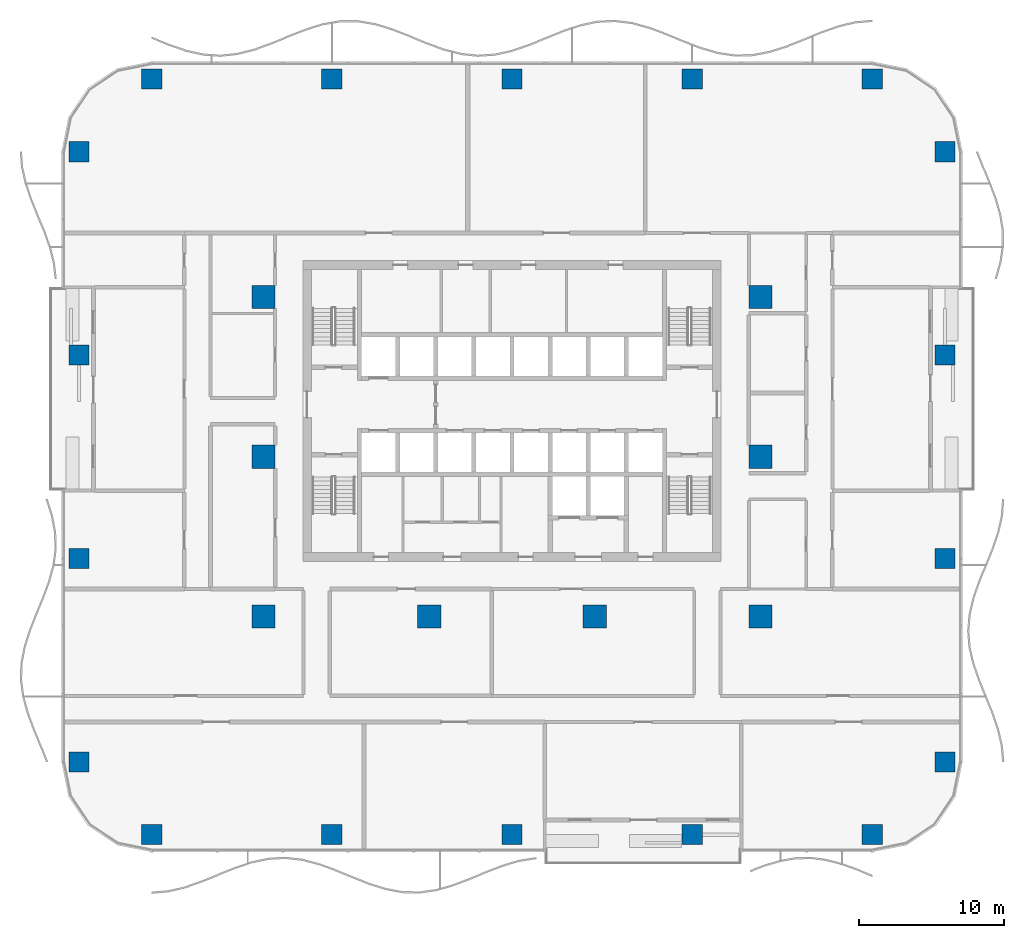
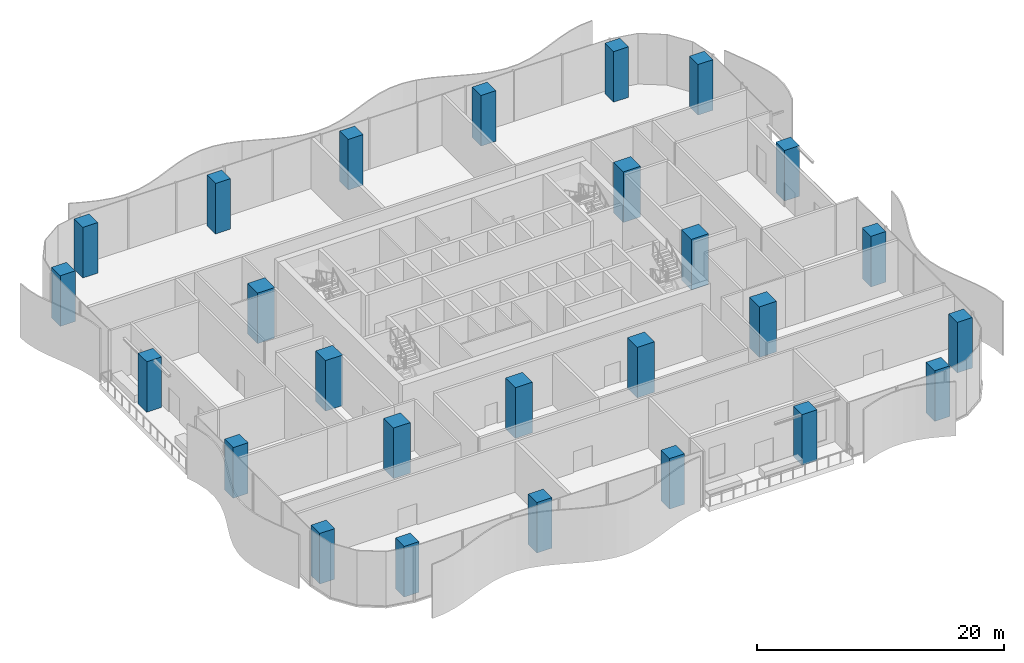
# One storey, part 1 of 20: 26 columns.
"""IFC4 building model written with IfcOpenShell, lengths in metres."""

from ifc_helpers import new_model, si_unit, direction, frame, origin, origin_2d, place, context, subcontext, project, spatial, rectangle, extrude, material, material_profile, profile_set, type_object, element, save


model = new_model("IFC4")

# Units and contexts
model_context = context("Model", 3, precision=1e-05, world=origin(), true_north=direction((0.0, 1.0)))
body_context = subcontext(model_context, "Body", "Model", "MODEL_VIEW")
ifc_project = project(units=[si_unit("LENGTHUNIT", "METRE"), si_unit("AREAUNIT", "SQUARE_METRE"), si_unit("VOLUMEUNIT", "CUBIC_METRE"), si_unit("PLANEANGLEUNIT", "RADIAN"), si_unit("MASSUNIT", "GRAM", prefix="KILO")], contexts=[model_context])

# Site, building, storey
site_placement = place(None, origin())
site = spatial("IfcSite", under=ifc_project, at=site_placement, CompositionType="ELEMENT")
building_placement = place(site_placement, origin())
building = spatial("IfcBuilding", under=site, at=building_placement, Name="Mopane Tessera Tower", CompositionType="ELEMENT")
storey_placement = place(building_placement, frame((0.0, 0.0, 14.5)))
storey = spatial("IfcBuildingStorey", under=building, at=storey_placement, Name="L02", CompositionType="ELEMENT", Elevation=14.5)

# Columns
ifc_material_1 = material(Name="Concrete C60/75", Category="concrete")
ifc_material_profile_1 = material_profile(ifc_material_1, rectangle(XDim=1.60009765625, YDim=1.60009765625, at=origin_2d()))
ifc_profile_set_1 = profile_set([ifc_material_profile_1], Name="Concrete C60/75")
column_type_1 = type_object("IfcColumnType", Name="Interior column 1600 x 1600 C60/75", PredefinedType="COLUMN", material=ifc_profile_set_1)
for number, where, z_axis, x_axis, name in (
    (1, (-17.10009765625, -11.0, 0.0), (0.0, 0.0, 1.0), (1.0, 0.0, 0.0), "Interior column I1A L02"),
    (2, (-17.10009765625, 0.0, 0.0), (0.0, 0.0, 1.0), (1.0, 0.0, 0.0), "Interior column I1B L02"),
    (3, (-17.10009765625, 11.0, 0.0), (0.0, 0.0, 1.0), (1.0, 0.0, 0.0), "Interior column I1C L02"),
    (4, (-5.699951171875, -11.0, 0.0), (0.0, 0.0, 1.0), (1.0, 0.0, 0.0), "Interior column I2A L02"),
    (5, (5.699951171875, -11.0, 0.0), (0.0, 0.0, 1.0), (1.0, 0.0, 0.0), "Interior column I3A L02"),
    (6, (17.10009765625, -11.0, 0.0), (0.0, 0.0, 1.0), (1.0, 0.0, 0.0), "Interior column I4A L02"),
    (7, (17.10009765625, 0.0, 0.0), (0.0, 0.0, 1.0), (1.0, 0.0, 0.0), "Interior column I4B L02"),
    (8, (17.10009765625, 11.0, 0.0), (0.0, 0.0, 1.0), (1.0, 0.0, 0.0), "Interior column I4C L02"),
):
    element("IfcColumn", number, at=place(storey_placement, frame(where, z_axis=z_axis, x_axis=x_axis)), inside=storey, type_object=column_type_1, Name=name, PredefinedType="COLUMN", context=body_context, shape_type="SweptSolid", body=[
        extrude(rectangle(XDim=1.60009765625, YDim=1.60009765625, at=origin_2d()), origin(), (0.0, 0.0, 1.0), 5.0),
    ])
ifc_material_2 = material(Name="Concrete C60/75", Category="concrete")
ifc_material_profile_2 = material_profile(ifc_material_2, rectangle(XDim=1.39990234375, YDim=1.39990234375, at=origin_2d()))
ifc_profile_set_2 = profile_set([ifc_material_profile_2], Name="Concrete C60/75")
column_type_2 = type_object("IfcColumnType", Name="Ring column 1400 x 1400 C60/75", PredefinedType="COLUMN", material=ifc_profile_set_2)
for number, where, z_axis, x_axis, name in (
    (9, (-24.800048828125, -26.0, 0.0), (0.0, 0.0, 1.0), (1.0, 0.0, 0.0), "Ring column S0 L02"),
    (10, (-12.39990234375, -26.0, 0.0), (0.0, 0.0, 1.0), (1.0, 0.0, 0.0), "Ring column S1 L02"),
    (11, (0.0, -26.0, 0.0), (0.0, 0.0, 1.0), (1.0, 0.0, 0.0), "Ring column S2 L02"),
    (12, (12.39990234375, -26.0, 0.0), (0.0, 0.0, 1.0), (1.0, 0.0, 0.0), "Ring column S3 L02"),
    (13, (24.800048828125, -26.0, 0.0), (0.0, 0.0, 1.0), (1.0, 0.0, 0.0), "Ring column S4 L02"),
    (14, (29.800048828125, -21.0, 0.0), (0.0, 0.0, 1.0), (1.0, 0.0, 0.0), "Ring column E0 L02"),
    (15, (29.800048828125, -7.0, 0.0), (0.0, 0.0, 1.0), (1.0, 0.0, 0.0), "Ring column E1 L02"),
    (16, (29.800048828125, 7.0, 0.0), (0.0, 0.0, 1.0), (1.0, 0.0, 0.0), "Ring column E2 L02"),
    (17, (29.800048828125, 21.0, 0.0), (0.0, 0.0, 1.0), (1.0, 0.0, 0.0), "Ring column E3 L02"),
    (18, (24.800048828125, 26.0, 0.0), (0.0, 0.0, 1.0), (1.0, 0.0, 0.0), "Ring column N0 L02"),
    (19, (12.39990234375, 26.0, 0.0), (0.0, 0.0, 1.0), (1.0, 0.0, 0.0), "Ring column N1 L02"),
    (20, (0.0, 26.0, 0.0), (0.0, 0.0, 1.0), (1.0, 0.0, 0.0), "Ring column N2 L02"),
    (21, (-12.39990234375, 26.0, 0.0), (0.0, 0.0, 1.0), (1.0, 0.0, 0.0), "Ring column N3 L02"),
    (22, (-24.800048828125, 26.0, 0.0), (0.0, 0.0, 1.0), (1.0, 0.0, 0.0), "Ring column N4 L02"),
    (23, (-29.800048828125, 21.0, 0.0), (0.0, 0.0, 1.0), (1.0, 0.0, 0.0), "Ring column W0 L02"),
    (24, (-29.800048828125, 7.0, 0.0), (0.0, 0.0, 1.0), (1.0, 0.0, 0.0), "Ring column W1 L02"),
    (25, (-29.800048828125, -7.0, 0.0), (0.0, 0.0, 1.0), (1.0, 0.0, 0.0), "Ring column W2 L02"),
    (26, (-29.800048828125, -21.0, 0.0), (0.0, 0.0, 1.0), (1.0, 0.0, 0.0), "Ring column W3 L02"),
):
    element("IfcColumn", number, at=place(storey_placement, frame(where, z_axis=z_axis, x_axis=x_axis)), inside=storey, type_object=column_type_2, Name=name, PredefinedType="COLUMN", context=body_context, shape_type="SweptSolid", body=[
        extrude(rectangle(XDim=1.39990234375, YDim=1.39990234375, at=origin_2d()), origin(), (0.0, 0.0, 1.0), 5.0),
    ])

save(model, "model.ifc")
